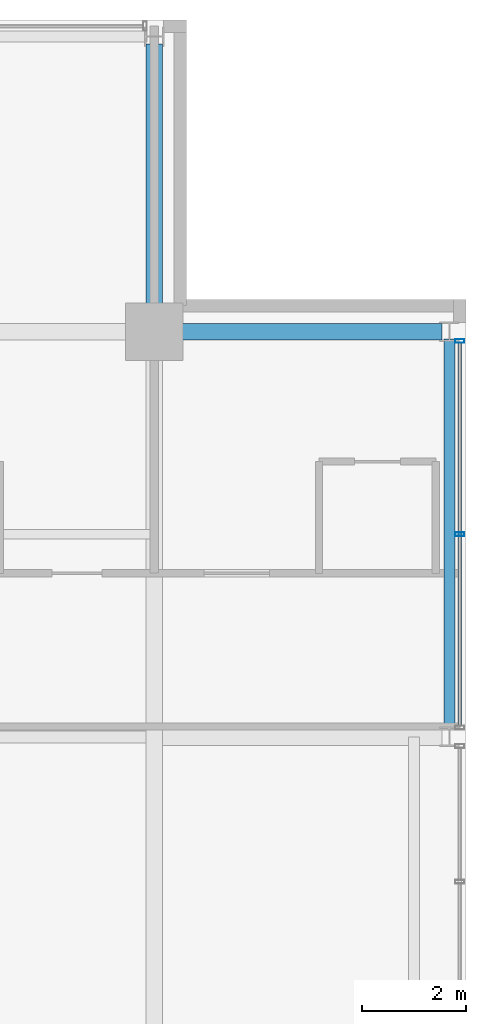
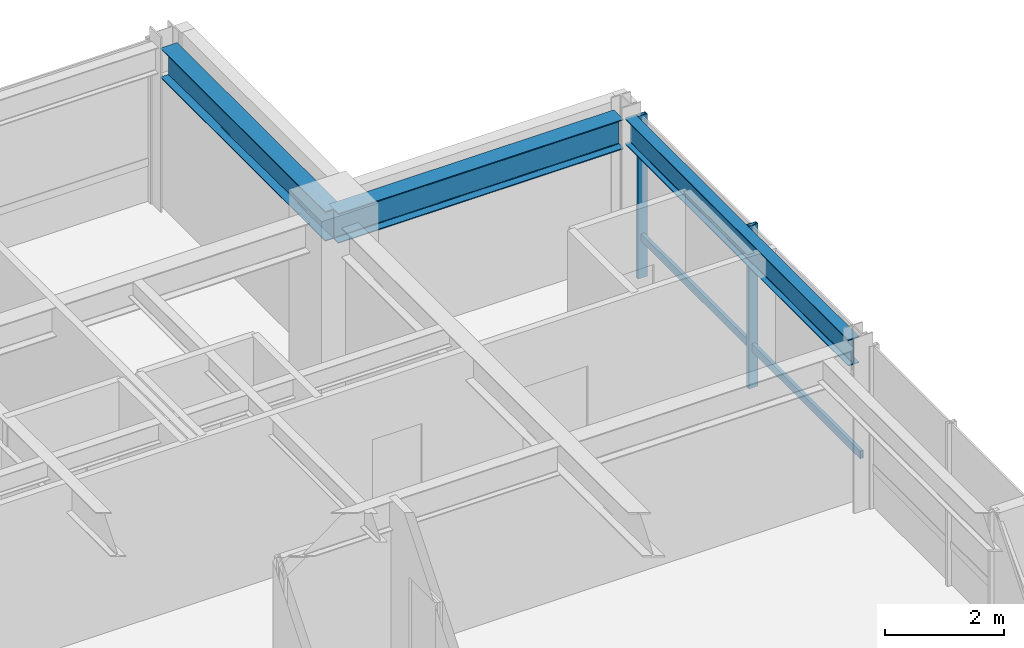
# One storey, part 23 of 32: 3 beams, 3 members, 1 element without a shape of its own.
"""IFC4 building model written with IfcOpenShell, lengths in metres."""

from ifc_helpers import new_model, si_unit, direction, frame, origin, origin_2d, place, context, subcontext, project, spatial, hollow_rectangle, i_section, extrude, material, layer, layer_set, material_profile, profile_set, type_object, element, aggregate, save


model = new_model("IFC4")

# Units and contexts
model_context = context("Model", 3, precision=1e-05, world=origin(), true_north=direction((0.0, 1.0)))
body_context = subcontext(model_context, "Body", "Model", "MODEL_VIEW")
ifc_project = project(units=[si_unit("LENGTHUNIT", "METRE"), si_unit("AREAUNIT", "SQUARE_METRE"), si_unit("VOLUMEUNIT", "CUBIC_METRE"), si_unit("PLANEANGLEUNIT", "RADIAN"), si_unit("MASSUNIT", "GRAM", prefix="KILO")], contexts=[model_context])

# Site, building, storey
site_placement = place(None, origin())
site = spatial("IfcSite", under=ifc_project, at=site_placement, CompositionType="ELEMENT")
building_placement = place(site_placement, origin())
building = spatial("IfcBuilding", under=site, at=building_placement, Name="Drelvath Grand Hotel", CompositionType="ELEMENT")
storey_placement = place(building_placement, frame((0.0, 0.0, 241.10009765625)))
storey = spatial("IfcBuildingStorey", under=building, at=storey_placement, Name="L63", CompositionType="ELEMENT", Elevation=241.10009765625)

# Curtain wall, members
ifc_material_1 = material(Name="Platinum-Mist Anodised Aluminium Frame", Category="aluminium")
ifc_layer = layer(ifc_material_1, 0.199951171875)
ifc_layer_set = layer_set([ifc_layer], Name="Platinum-Mist Anodised Aluminium Frame")
curtain_wall_type = type_object("IfcCurtainWallType", Name="Stick Curtain Wall CW-05 Platinum Mist High-Rise", PredefinedType="NOTDEFINED", material=ifc_layer_set)
curtain_wall_placement = place(storey_placement, origin())
curtain_wall = element("IfcCurtainWall", 1, at=curtain_wall_placement, inside=storey, type_object=curtain_wall_type, Name="L63 CW-05 Curtain Wall CW05-L63-EN2", PredefinedType="NOTDEFINED")
ifc_material_profile_1 = material_profile(ifc_material_1, hollow_rectangle(XDim=0.06494140625, YDim=0.159912109375, WallThickness=0.00390625, at=origin_2d()), Name="HSS160X65X4")
ifc_profile_set_1 = profile_set([ifc_material_profile_1], Name="Platinum-Mist Anodised Aluminium Frame")
member_type_1 = type_object("IfcMemberType", Name="Curtain Wall Horizontal Transom CW-05 HSS160X65X4", PredefinedType="USERDEFINED", material=ifc_profile_set_1)
member_1_placement = place(storey_placement, frame((22.080078125, 42.981689453125, 0.8349609375), z_axis=(0.0, -1.0, 0.0), x_axis=(1.0, 0.0, 0.0)))
member_1 = element("IfcMember", 2, at=member_1_placement, type_object=member_type_1, Name="CW05-L63-EN2 Sill Transom", ObjectType="TRANSOM", PredefinedType="USERDEFINED", context=body_context, shape_type="SweptSolid", body=[
    extrude(hollow_rectangle(XDim=0.06494140625, YDim=0.159912109375, WallThickness=0.00390625, at=origin_2d()), origin(), (0.0, 0.0, 1.0), 7.363525390625),
])
ifc_material_profile_2 = material_profile(ifc_material_1, hollow_rectangle(XDim=0.074951171875, YDim=0.179931640625, WallThickness=0.0048828125, at=origin_2d()), Name="HSS180X75X5")
ifc_profile_set_2 = profile_set([ifc_material_profile_2], Name="Platinum-Mist Anodised Aluminium Frame")
member_type_2 = type_object("IfcMemberType", Name="Curtain Wall Vertical Mullion CW-05 HSS180X75X5", PredefinedType="MULLION", material=ifc_profile_set_2)
member_2_placement = place(storey_placement, frame((22.080078125, 43.021728515625, 0.0), z_axis=(0.0, 0.0, 1.0), x_axis=(0.0, 1.0, 0.0)))
member_2 = element("IfcMember", 3, at=member_2_placement, type_object=member_type_2, Name="CW05-L63-EN2 Mullion 1", PredefinedType="MULLION", context=body_context, shape_type="SweptSolid", body=[
    extrude(hollow_rectangle(XDim=0.074951171875, YDim=0.179931640625, WallThickness=0.0048828125, at=origin_2d()), origin(), (0.0, 0.0, 1.0), 3.33984375),
])
member_3_placement = place(storey_placement, frame((22.080078125, 39.300048828125, 0.0), z_axis=(0.0, 0.0, 1.0), x_axis=(0.0, 1.0, 0.0)))
member_3 = element("IfcMember", 4, at=member_3_placement, type_object=member_type_2, Name="CW05-L63-EN2 Mullion 2", PredefinedType="MULLION", context=body_context, shape_type="SweptSolid", body=[
    extrude(hollow_rectangle(XDim=0.074951171875, YDim=0.179931640625, WallThickness=0.0048828125, at=origin_2d()), origin(), (0.0, 0.0, 1.0), 3.33984375),
])
aggregate(curtain_wall, [member_2, member_3, member_1])

# Beams
ifc_material_2 = material(Name="Steel ASTM A992 Gr 50", Category="steel")
ifc_material_profile_3 = material_profile(ifc_material_2, i_section(OverallWidth=0.210205078125, OverallDepth=0.53662109375, WebThickness=0.010986328125, FlangeThickness=0.017333984375, FilletRadius=0.01806640625, at=origin_2d()), Name="W21X68")
ifc_profile_set_3 = profile_set([ifc_material_profile_3], Name="Steel ASTM A992 Gr 50")
beam_type_1 = type_object("IfcBeamType", Name="Perimeter Spandrel Beam W21X68", PredefinedType="SPANDREL", material=ifc_profile_set_3)
beam_placement = place(storey_placement, frame((21.8798828125, 35.5400390625, 3.071533203125), z_axis=(0.0, 1.0, 0.0), x_axis=(-1.0, 0.0, 0.0)))
element("IfcBeam", 5, at=beam_placement, inside=storey, type_object=beam_type_1, Name="L63 Spandrel East N", PredefinedType="SPANDREL", context=body_context, shape_type="SweptSolid", body=[
    extrude(i_section(OverallWidth=0.210205078125, OverallDepth=0.53662109375, WebThickness=0.010986328125, FlangeThickness=0.017333984375, FilletRadius=0.01806640625, at=origin_2d()), origin(), (0.0, 0.0, 1.0), 7.52001953125),
])
ifc_material_profile_4 = material_profile(ifc_material_2, i_section(OverallWidth=0.323974609375, OverallDepth=0.611083984375, WebThickness=0.0126953125, FlangeThickness=0.01904296875, FilletRadius=0.02197265625, at=origin_2d()), Name="W24X104")
ifc_profile_set_4 = profile_set([ifc_material_profile_4], Name="Steel ASTM A992 Gr 50")
beam_type_2 = type_object("IfcBeamType", Name="Primary Floor Girder W24X104", PredefinedType="BEAM", material=ifc_profile_set_4)
for number, where, z_axis, x_axis, name in (
    (6, (16.199951171875, 43.199951171875, 3.034423828125), (1.0, 0.0, 0.0), (0.0, 1.0, 0.0), "L63 East Grid Girder G"),
    (7, (16.199951171875, 43.199951171875, 3.034423828125), (0.0, 1.0, 0.0), (-1.0, 0.0, 0.0), "L63 North Grid Girder 7"),
):
    element("IfcBeam", number, at=place(storey_placement, frame(where, z_axis=z_axis, x_axis=x_axis)), inside=storey, type_object=beam_type_2, Name=name, PredefinedType="BEAM", context=body_context, shape_type="SweptSolid", body=[
        extrude(i_section(OverallWidth=0.323974609375, OverallDepth=0.611083984375, WebThickness=0.0126953125, FlangeThickness=0.01904296875, FilletRadius=0.02197265625, at=origin_2d()), origin(), (0.0, 0.0, 1.0), 5.5400390625),
    ])

save(model, "model.ifc")
